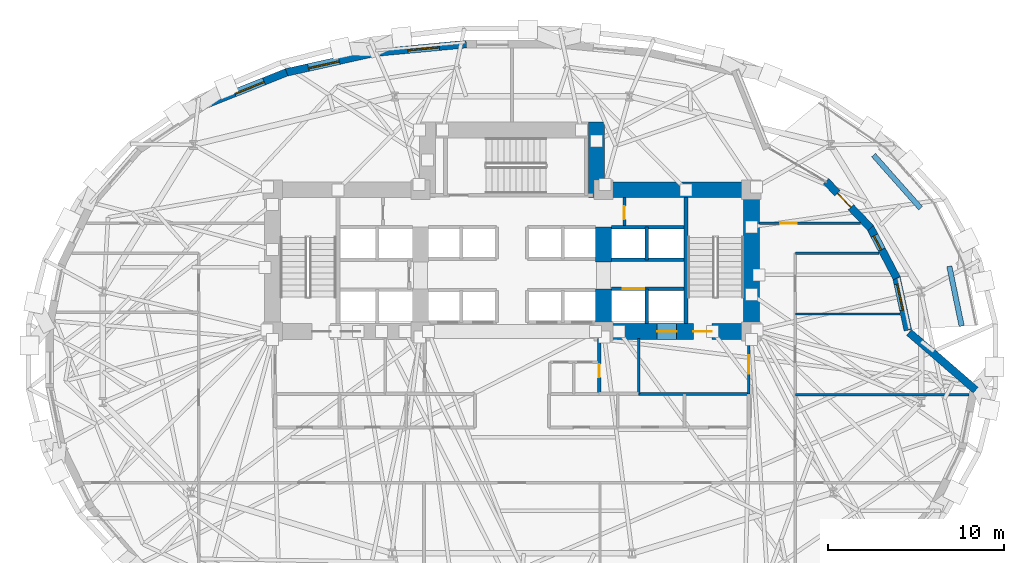
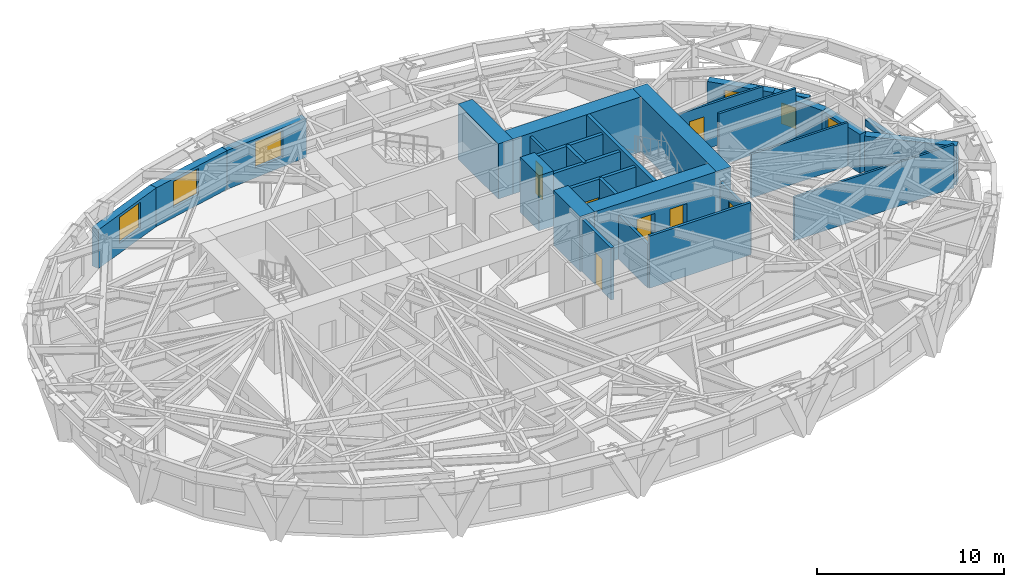
# One storey, part 10 of 15: 30 walls, 8 doors, 5 windows, 13 openings.
"""IFC4 building model written with IfcOpenShell, lengths in metres."""

from ifc_helpers import new_model, si_unit, direction, frame, frame_2d, origin, place, context, subcontext, project, spatial, rectangle, extrude, material, layer, layer_set, type_object, element, fill, save


model = new_model("IFC4")

# Units and contexts
model_context = context("Model", 3, precision=1e-05, world=origin(), true_north=direction((0.0, 1.0)))
body_context = subcontext(model_context, "Body", "Model", "MODEL_VIEW")
ifc_project = project(units=[si_unit("LENGTHUNIT", "METRE"), si_unit("AREAUNIT", "SQUARE_METRE"), si_unit("VOLUMEUNIT", "CUBIC_METRE"), si_unit("PLANEANGLEUNIT", "RADIAN"), si_unit("MASSUNIT", "GRAM", prefix="KILO")], contexts=[model_context])

# Site, building, storey
site_placement = place(None, origin())
site = spatial("IfcSite", under=ifc_project, at=site_placement, CompositionType="ELEMENT")
building_placement = place(site_placement, origin())
building = spatial("IfcBuilding", under=site, at=building_placement, Name="Keldmark Tower", CompositionType="ELEMENT")
storey_placement = place(building_placement, frame((0.0, 0.0, 37.800048828125)))
storey = spatial("IfcBuildingStorey", under=building, at=storey_placement, Name="L09", CompositionType="ELEMENT", Elevation=37.800048828125)

# Wall, opening, door
ifc_material_1 = material(Name="Acoustic Double-Layer Gypsum Corridor Partition", Category="gypsum")
ifc_layer_1 = layer(ifc_material_1, 0.139892578125)
ifc_layer_set_1 = layer_set([ifc_layer_1], Name="Acoustic Double-Layer Gypsum Corridor Partition")
wall_type_1 = type_object("IfcWallType", Name="Acoustic Corridor Partition 140 mm", PredefinedType="PARTITIONING", material=ifc_layer_set_1)
wall_1_placement = place(storey_placement, frame((14.050048828125, 7.550048828125, 0.0), z_axis=(0.0, 0.0, 1.0), x_axis=(1.0, 0.0, 0.0)))
wall_1 = element("IfcWall", 1, at=wall_1_placement, inside=storey, type_object=wall_type_1, Name="L09 Acoustic Corridor Partition 140 mm COR-EN-CAP", PredefinedType="PARTITIONING", context=body_context, shape_type="SweptSolid", body=[
    extrude(rectangle(XDim=5.7529296875, YDim=0.139892578125, at=frame_2d((2.87646484375, 0.0))), origin(), (0.0, 0.0, 1.0), 2.85302734375),
])
opening_1_placement = place(wall_1_placement, frame((1.199951171875, 0.0, 0.0)))
opening_1 = element("IfcOpeningElement", 2, at=opening_1_placement, cuts=wall_1, Name="Opening D-EX092", PredefinedType="OPENING", context=body_context, shape_type="SweptSolid", body=[
    extrude(rectangle(XDim=0.919921875, YDim=2.14990234375, at=frame_2d((0.4599609375, 1.074951171875))), frame((0.0, 0.079833984375, 0.0), z_axis=(0.0, -1.0, 0.0), x_axis=(1.0, 0.0, 0.0)), (0.0, 0.0, 1.0), 0.159912109375),
])
ifc_material_2 = material(Name="Flush American Ash Executive Office Door", Category="wood")
door_type_1 = type_object("IfcDoorType", Name="Executive Office Door 920x2150", OperationType="NOTDEFINED", PredefinedType="DOOR", material=ifc_material_2)
door_1_placement = place(opening_1_placement, origin())
door_1 = element("IfcDoor", 3, at=door_1_placement, inside=storey, type_object=door_type_1, Name="L09 Executive Office Door 920x2150 D-NRNE-L09", OperationType="SINGLE_SWING_RIGHT", OverallHeight=2.14990234375, OverallWidth=0.919921875, PredefinedType="DOOR", context=body_context, shape_type="SweptSolid", body=[
    extrude(rectangle(XDim=0.919921875, YDim=2.14990234375, at=frame_2d((0.4599609375, 1.074951171875))), frame((0.0, 0.02490234375, 0.0), z_axis=(0.0, -1.0, 0.0), x_axis=(1.0, 0.0, 0.0)), (0.0, 0.0, 1.0), 0.050048828125),
])
fill(opening_1, door_1)

# Walls
wall_2_placement = place(storey_placement, frame((16.10009765625, 5.85009765625, 0.0), z_axis=(0.0, 0.0, 1.0), x_axis=(1.0, 0.0, 0.0)))
element("IfcWall", 4, at=wall_2_placement, inside=storey, type_object=wall_type_1, Name="L09 Acoustic Corridor Partition 140 mm COR-EA-S", PredefinedType="PARTITIONING", context=body_context, shape_type="SweptSolid", body=[
    extrude(rectangle(XDim=4.75732421875, YDim=0.139892578125, at=frame_2d((2.378662109375, 0.0))), origin(), (0.0, 0.0, 1.0), 3.39990234375),
])
ifc_material_3 = material(Name="Acoustic Gypsum Board Interior Partition", Category="gypsum")
ifc_layer_2 = layer(ifc_material_3, 0.1298828125)
ifc_layer_set_2 = layer_set([ifc_layer_2], Name="Acoustic Gypsum Board Interior Partition")
wall_type_2 = type_object("IfcWallType", Name="Interior Partition 130 mm", PredefinedType="PARTITIONING", material=ifc_layer_set_2)
wall_3_placement = place(storey_placement, frame((16.10009765625, -2.199951171875, 0.0), z_axis=(0.0, 0.0, 1.0), x_axis=(1.0, 0.0, 0.0)))
element("IfcWall", 5, at=wall_3_placement, inside=storey, type_object=wall_type_2, Name="L09 Interior Partition 130 mm E-DIV-1", PredefinedType="PARTITIONING", context=body_context, shape_type="SweptSolid", body=[
    extrude(rectangle(XDim=9.849853515625, YDim=0.1298828125, at=frame_2d((4.9248046875, 0.0))), origin(), (0.0, 0.0, 1.0), 2.841064453125),
])
wall_4_placement = place(storey_placement, frame((16.10009765625, 2.39990234375, 0.0), z_axis=(0.0, 0.0, 1.0), x_axis=(1.0, 0.0, 0.0)))
element("IfcWall", 6, at=wall_4_placement, inside=storey, type_object=wall_type_2, Name="L09 Interior Partition 130 mm E-DIV-2", PredefinedType="PARTITIONING", context=body_context, shape_type="SweptSolid", body=[
    extrude(rectangle(XDim=5.95458984375, YDim=0.1298828125, at=frame_2d((2.977294921875, 0.0))), origin(), (0.0, 0.0, 1.0), 2.841064453125),
])
ifc_material_4 = material(Name="Concrete C70/85", Category="concrete")
ifc_layer_3 = layer(ifc_material_4, 0.89990234375)
ifc_layer_set_3 = layer_set([ifc_layer_3], Name="Concrete C70/85")
wall_type_3 = type_object("IfcWallType", Name="Lower Core Shear Wall 900 mm", PredefinedType="SHEAR", material=ifc_layer_set_3)
wall_5_placement = place(storey_placement, frame((13.60009765625, 0.949951171875, 0.0), z_axis=(0.0, 0.0, 1.0), x_axis=(0.0, 1.0, 0.0)))
element("IfcWall", 7, at=wall_5_placement, inside=storey, type_object=wall_type_3, Name="L09 East Core Outer Shear Wall", PredefinedType="SHEAR", context=body_context, shape_type="SweptSolid", body=[
    extrude(rectangle(XDim=8.949951171875, YDim=0.89990234375, at=frame_2d((4.47509765625, 0.0))), origin(), (0.0, 0.0, 1.0), 3.599853515625),
])
wall_6_placement = place(storey_placement, frame((4.35009765625, 9.449951171875, 0.0), z_axis=(0.0, 0.0, 1.0), x_axis=(1.0, 0.0, 0.0)))
element("IfcWall", 8, at=wall_6_placement, inside=storey, type_object=wall_type_3, Name="L09 East Core North Shear Wall", PredefinedType="SHEAR", context=body_context, shape_type="SweptSolid", body=[
    extrude(rectangle(XDim=9.699951171875, YDim=0.89990234375, at=frame_2d((4.85009765625, 0.0))), origin(), (0.0, 0.0, 1.0), 3.599853515625),
])

# Wall, openings, doors
wall_7_placement = place(storey_placement, frame((14.050048828125, 1.39990234375, 0.0), z_axis=(0.0, 0.0, 1.0), x_axis=(-1.0, 0.0, 0.0)))
wall_7 = element("IfcWall", 9, at=wall_7_placement, inside=storey, type_object=wall_type_3, Name="L09 East Core South Shear Wall", PredefinedType="SHEAR", context=body_context, shape_type="SweptSolid", body=[
    extrude(rectangle(XDim=9.300048828125, YDim=0.89990234375, at=frame_2d((4.64990234375, 0.0))), origin(), (0.0, 0.0, 1.0), 3.599853515625),
])
opening_2_placement = place(wall_7_placement, frame((2.699951171875, 0.0, 0.0)))
opening_2 = element("IfcOpeningElement", 10, at=opening_2_placement, cuts=wall_7, Name="Opening D-ST105", PredefinedType="OPENING", context=body_context, shape_type="SweptSolid", body=[
    extrude(rectangle(XDim=1.050048828125, YDim=2.14990234375, at=frame_2d((0.52490234375, 1.074951171875))), frame((0.0, 0.4599609375, 0.0), z_axis=(0.0, -1.0, 0.0), x_axis=(1.0, 0.0, 0.0)), (0.0, 0.0, 1.0), 0.919921875),
])
opening_3_placement = place(wall_7_placement, frame((4.699951171875, 0.0, 0.0)))
opening_3 = element("IfcOpeningElement", 11, at=opening_3_placement, cuts=wall_7, Name="Opening LD-110", PredefinedType="OPENING", context=body_context, shape_type="SweptSolid", body=[
    extrude(rectangle(XDim=1.10009765625, YDim=2.199951171875, at=frame_2d((0.550048828125, 1.10009765625))), frame((0.0, 0.4599609375, 0.0), z_axis=(0.0, -1.0, 0.0), x_axis=(1.0, 0.0, 0.0)), (0.0, 0.0, 1.0), 0.919921875),
])
ifc_material_5 = material(Name="Brushed Bronze Hoistway Sliding Leaf", Category="metal")
door_type_2 = type_object("IfcDoorType", Name="Lift Landing Sliding Door 1100x2200", OperationType="SLIDING_TO_LEFT", PredefinedType="DOOR", material=ifc_material_5)
door_2_placement = place(opening_3_placement, origin())
door_2 = element("IfcDoor", 12, at=door_2_placement, inside=storey, type_object=door_type_2, Name="L09 Lift Landing Sliding Door 1100x2200 LD-EL-FS2-L09", OperationType="SLIDING_TO_LEFT", OverallHeight=2.199951171875, OverallWidth=1.10009765625, PredefinedType="DOOR", context=body_context, shape_type="SweptSolid", body=[
    extrude(rectangle(XDim=1.10009765625, YDim=2.199951171875, at=frame_2d((0.550048828125, 1.10009765625))), frame((0.0, 0.02490234375, 0.0), z_axis=(0.0, -1.0, 0.0), x_axis=(1.0, 0.0, 0.0)), (0.0, 0.0, 1.0), 0.050048828125),
])
fill(opening_3, door_2)
ifc_material_6 = material(Name="Hollow Metal Fire-Rated Door Assembly", Category="metal")
door_type_3 = type_object("IfcDoorType", Name="Stair Fire Door 1050x2150", OperationType="NOTDEFINED", PredefinedType="DOOR", material=ifc_material_6)
door_3_placement = place(opening_2_placement, origin())
door_3 = element("IfcDoor", 13, at=door_3_placement, inside=storey, type_object=door_type_3, Name="L09 Stair Fire Door 1050x2150 D-ST2-L09", OperationType="SINGLE_SWING_LEFT", OverallHeight=2.14990234375, OverallWidth=1.050048828125, PredefinedType="DOOR", context=body_context, shape_type="SweptSolid", body=[
    extrude(rectangle(XDim=1.050048828125, YDim=2.14990234375, at=frame_2d((0.52490234375, 1.074951171875))), frame((0.0, 0.02490234375, 0.0), z_axis=(0.0, -1.0, 0.0), x_axis=(1.0, 0.0, 0.0)), (0.0, 0.0, 1.0), 0.050048828125),
])
fill(opening_2, door_3)

# Walls
wall_8_placement = place(storey_placement, frame((5.199951171875, 0.949951171875, 0.0), z_axis=(0.0, 0.0, 1.0), x_axis=(0.0, 1.0, 0.0)))
element("IfcWall", 14, at=wall_8_placement, inside=storey, type_object=wall_type_3, Name="L09 East Core Inner Shear Pier South", PredefinedType="SHEAR", context=body_context, shape_type="SweptSolid", body=[
    extrude(rectangle(XDim=2.85009765625, YDim=0.89990234375, at=frame_2d((1.425048828125, 0.0))), origin(), (0.0, 0.0, 1.0), 3.599853515625),
])
wall_9_placement = place(storey_placement, frame((5.199951171875, 5.35009765625, 0.0), z_axis=(0.0, 0.0, 1.0), x_axis=(0.0, 1.0, 0.0)))
element("IfcWall", 15, at=wall_9_placement, inside=storey, type_object=wall_type_3, Name="L09 East Core Inner Shear Pier North", PredefinedType="SHEAR", context=body_context, shape_type="SweptSolid", body=[
    extrude(rectangle(XDim=2.0, YDim=0.89990234375, at=frame_2d((1.0, 0.0))), origin(), (0.0, 0.0, 1.0), 3.599853515625),
])
wall_10_placement = place(storey_placement, frame((4.800048828125, 9.0, 0.0), z_axis=(0.0, 0.0, 1.0), x_axis=(0.0, 1.0, 0.0)))
element("IfcWall", 16, at=wall_10_placement, inside=storey, type_object=wall_type_3, Name="L09 North Core East Shear Wall", PredefinedType="SHEAR", context=body_context, shape_type="SweptSolid", body=[
    extrude(rectangle(XDim=4.300048828125, YDim=0.89990234375, at=frame_2d((2.14990234375, 0.0))), origin(), (0.0, 0.0, 1.0), 3.599853515625),
])
ifc_material_7 = material(Name="Type X Fire-Rated Gypsum Partition Assembly", Category="gypsum")
ifc_layer_4 = layer(ifc_material_7, 0.1650390625)
ifc_layer_set_4 = layer_set([ifc_layer_4], Name="Type X Fire-Rated Gypsum Partition Assembly")
wall_type_4 = type_object("IfcWallType", Name="Rated Partition 165 mm", PredefinedType="PARTITIONING", material=ifc_layer_set_4)
wall_11_placement = place(storey_placement, frame((7.199951171875, -2.14990234375, 0.0), z_axis=(0.0, 0.0, 1.0), x_axis=(1.0, 0.0, 0.0)))
element("IfcWall", 17, at=wall_11_placement, inside=storey, type_object=wall_type_4, Name="L09 Rated Partition 165 mm FSAE-E-S", PredefinedType="PARTITIONING", context=body_context, shape_type="SweptSolid", body=[
    extrude(rectangle(XDim=6.25, YDim=0.1650390625, at=frame_2d((3.125, 0.0))), origin(), (0.0, 0.0, 1.0), 3.39990234375),
])
wall_12_placement = place(storey_placement, frame((7.199951171875, -2.14990234375, 0.0), z_axis=(0.0, 0.0, 1.0), x_axis=(0.0, 1.0, 0.0)))
element("IfcWall", 18, at=wall_12_placement, inside=storey, type_object=wall_type_4, Name="L09 Rated Partition 165 mm FSAE-E-W", PredefinedType="PARTITIONING", context=body_context, shape_type="SweptSolid", body=[
    extrude(rectangle(XDim=3.14990234375, YDim=0.1650390625, at=frame_2d((1.574951171875, 0.0))), origin(), (0.0, 0.0, 1.0), 2.85302734375),
])

# Wall, opening, door
wall_13_placement = place(storey_placement, frame((13.449951171875, -2.14990234375, 0.0), z_axis=(0.0, 0.0, 1.0), x_axis=(0.0, 1.0, 0.0)))
wall_13 = element("IfcWall", 19, at=wall_13_placement, inside=storey, type_object=wall_type_4, Name="L09 Rated Partition 165 mm FSAE-E-E", PredefinedType="PARTITIONING", context=body_context, shape_type="SweptSolid", body=[
    extrude(rectangle(XDim=3.14990234375, YDim=0.1650390625, at=frame_2d((1.574951171875, 0.0))), origin(), (0.0, 0.0, 1.0), 2.85302734375),
])
opening_4_placement = place(wall_13_placement, frame((1.14990234375, 0.0, 0.0)))
opening_4 = element("IfcOpeningElement", 20, at=opening_4_placement, cuts=wall_13, Name="Opening D-FL105", PredefinedType="OPENING", context=body_context, shape_type="SweptSolid", body=[
    extrude(rectangle(XDim=1.050048828125, YDim=2.14990234375, at=frame_2d((0.52490234375, 1.074951171875))), frame((0.0, 0.092529296875, 0.0), z_axis=(0.0, -1.0, 0.0), x_axis=(1.0, 0.0, 0.0)), (0.0, 0.0, 1.0), 0.18505859375),
])
ifc_material_8 = material(Name="Fire-Rated Mineral-Core Door and Vision Lite", Category="metal")
door_type_4 = type_object("IfcDoorType", Name="Fire Lobby Door 1050x2150", OperationType="NOTDEFINED", PredefinedType="DOOR", material=ifc_material_8)
door_4_placement = place(opening_4_placement, origin())
door_4 = element("IfcDoor", 21, at=door_4_placement, inside=storey, type_object=door_type_4, Name="L09 Fire Lobby Door 1050x2150 D-FSAEE-OUT-L09", OperationType="SINGLE_SWING_LEFT", OverallHeight=2.14990234375, OverallWidth=1.050048828125, PredefinedType="DOOR", context=body_context, shape_type="SweptSolid", body=[
    extrude(rectangle(XDim=1.050048828125, YDim=2.14990234375, at=frame_2d((0.52490234375, 1.074951171875))), frame((0.0, 0.02490234375, 0.0), z_axis=(0.0, -1.0, 0.0), x_axis=(1.0, 0.0, 0.0)), (0.0, 0.0, 1.0), 0.050048828125),
])
fill(opening_4, door_4)

wall_14_placement = place(storey_placement, frame((6.3798828125, 7.419921875, 0.0), z_axis=(0.0, 0.0, 1.0), x_axis=(0.0, 1.0, 0.0)))
wall_14 = element("IfcWall", 22, at=wall_14_placement, inside=storey, type_object=wall_type_4, Name="L09 Rated Partition 165 mm CS-NE-W", PredefinedType="PARTITIONING", context=body_context, shape_type="SweptSolid", body=[
    extrude(rectangle(XDim=1.580078125, YDim=0.1650390625, at=frame_2d((0.7900390625, 0.0))), origin(), (0.0, 0.0, 1.0), 3.39990234375),
])
opening_5_placement = place(wall_14_placement, frame((0.35009765625, 0.0, 0.0)))
opening_5 = element("IfcOpeningElement", 23, at=opening_5_placement, cuts=wall_14, Name="Opening D-RS075", PredefinedType="OPENING", context=body_context, shape_type="SweptSolid", body=[
    extrude(rectangle(XDim=0.75, YDim=2.10009765625, at=frame_2d((0.375, 1.050048828125))), frame((0.0, 0.092529296875, 0.0), z_axis=(0.0, -1.0, 0.0), x_axis=(1.0, 0.0, 0.0)), (0.0, 0.0, 1.0), 0.18505859375),
])
ifc_material_9 = material(Name="Galvanized Fire-Rated Access Leaf", Category="metal")
door_type_5 = type_object("IfcDoorType", Name="Riser Access Door 750x2100", OperationType="NOTDEFINED", PredefinedType="DOOR", material=ifc_material_9)
door_5_placement = place(opening_5_placement, origin())
door_5 = element("IfcDoor", 24, at=door_5_placement, inside=storey, type_object=door_type_5, Name="L09 Riser Access Door 750x2100 D-CSNE1-L09", OperationType="SINGLE_SWING_LEFT", OverallHeight=2.10009765625, OverallWidth=0.75, PredefinedType="DOOR", context=body_context, shape_type="SweptSolid", body=[
    extrude(rectangle(XDim=0.75, YDim=2.10009765625, at=frame_2d((0.375, 1.050048828125))), frame((0.0, 0.02490234375, 0.0), z_axis=(0.0, -1.0, 0.0), x_axis=(1.0, 0.0, 0.0)), (0.0, 0.0, 1.0), 0.050048828125),
])
fill(opening_5, door_5)

ifc_material_10 = material(Name="Fire-Resistant Type X Gypsum Shaftliner Coreboard", Category="gypsum")
ifc_layer_5 = layer(ifc_material_10, 0.199951171875)
ifc_layer_set_5 = layer_set([ifc_layer_5], Name="Fire-Resistant Type X Gypsum Shaftliner Coreboard")
wall_type_5 = type_object("IfcWallType", Name="Shaft Wall 200 mm", PredefinedType="SOLIDWALL", material=ifc_layer_set_5)
wall_15_placement = place(storey_placement, frame((4.949951171875, -2.14990234375, 0.0), z_axis=(0.0, 0.0, 1.0), x_axis=(0.0, 1.0, 0.0)))
wall_15 = element("IfcWall", 25, at=wall_15_placement, inside=storey, type_object=wall_type_5, Name="L09 Shaft Wall 200 mm RIS-SE-W", PredefinedType="SOLIDWALL", context=body_context, shape_type="SweptSolid", body=[
    extrude(rectangle(XDim=3.14990234375, YDim=0.199951171875, at=frame_2d((1.574951171875, 0.0))), origin(), (0.0, 0.0, 1.0), 3.39990234375),
])
opening_6_placement = place(wall_15_placement, frame((0.949951171875, 0.0, 0.0)))
opening_6 = element("IfcOpeningElement", 26, at=opening_6_placement, cuts=wall_15, Name="Opening D-RS075", PredefinedType="OPENING", context=body_context, shape_type="SweptSolid", body=[
    extrude(rectangle(XDim=0.75, YDim=2.10009765625, at=frame_2d((0.375, 1.050048828125))), frame((0.0, 0.10986328125, 0.0), z_axis=(0.0, -1.0, 0.0), x_axis=(1.0, 0.0, 0.0)), (0.0, 0.0, 1.0), 0.219970703125),
])
door_6_placement = place(opening_6_placement, origin())
door_6 = element("IfcDoor", 27, at=door_6_placement, inside=storey, type_object=door_type_5, Name="L09 Riser Access Door 750x2100 D-RISSE-L09", OperationType="SINGLE_SWING_LEFT", OverallHeight=2.10009765625, OverallWidth=0.75, PredefinedType="DOOR", context=body_context, shape_type="SweptSolid", body=[
    extrude(rectangle(XDim=0.75, YDim=2.10009765625, at=frame_2d((0.375, 1.050048828125))), frame((0.0, 0.02490234375, 0.0), z_axis=(0.0, -1.0, 0.0), x_axis=(1.0, 0.0, 0.0)), (0.0, 0.0, 1.0), 0.050048828125),
])
fill(opening_6, door_6)

wall_16_placement = place(storey_placement, frame((5.64990234375, 3.820068359375, 0.0), z_axis=(0.0, 0.0, 1.0), x_axis=(1.0, 0.0, 0.0)))
wall_16 = element("IfcWall", 28, at=wall_16_placement, inside=storey, type_object=wall_type_5, Name="L09 Shaft Wall 200 mm HW-E-S", PredefinedType="SOLIDWALL", context=body_context, shape_type="SweptSolid", body=[
    extrude(rectangle(XDim=4.130126953125, YDim=0.199951171875, at=frame_2d((2.06494140625, 0.0))), origin(), (0.0, 0.0, 1.0), 3.39990234375),
])
opening_7_placement = place(wall_16_placement, frame((0.64990234375, 0.0, 0.0)))
opening_7 = element("IfcOpeningElement", 29, at=opening_7_placement, cuts=wall_16, Name="Opening LD-120", PredefinedType="OPENING", context=body_context, shape_type="SweptSolid", body=[
    extrude(rectangle(XDim=1.199951171875, YDim=2.199951171875, at=frame_2d((0.60009765625, 1.10009765625))), frame((0.0, 0.10986328125, 0.0), z_axis=(0.0, -1.0, 0.0), x_axis=(1.0, 0.0, 0.0)), (0.0, 0.0, 1.0), 0.219970703125),
])
ifc_material_11 = material(Name="Heavy-Duty Brushed Metal Hoistway Sliding Leaf", Category="metal")
door_type_6 = type_object("IfcDoorType", Name="Service Lift Sliding Door 1200x2200", OperationType="SLIDING_TO_RIGHT", PredefinedType="DOOR", material=ifc_material_11)
door_7_placement = place(opening_7_placement, origin())
door_7 = element("IfcDoor", 30, at=door_7_placement, inside=storey, type_object=door_type_6, Name="L09 Service Lift Sliding Door 1200x2200 LD-EL-SV1-L09", OperationType="SLIDING_TO_RIGHT", OverallHeight=2.199951171875, OverallWidth=1.199951171875, PredefinedType="DOOR", context=body_context, shape_type="SweptSolid", body=[
    extrude(rectangle(XDim=1.199951171875, YDim=2.199951171875, at=frame_2d((0.60009765625, 1.10009765625))), frame((0.0, 0.02490234375, 0.0), z_axis=(0.0, -1.0, 0.0), x_axis=(1.0, 0.0, 0.0)), (0.0, 0.0, 1.0), 0.050048828125),
])
fill(opening_7, door_7)

# Walls
wall_17_placement = place(storey_placement, frame((7.64990234375, 1.85009765625, 0.0), z_axis=(0.0, 0.0, 1.0), x_axis=(0.0, 1.0, 0.0)))
element("IfcWall", 31, at=wall_17_placement, inside=storey, type_object=wall_type_5, Name="L09 Shaft Wall 200 mm HW-E-M", PredefinedType="SOLIDWALL", context=body_context, shape_type="SweptSolid", body=[
    extrude(rectangle(XDim=1.969970703125, YDim=0.199951171875, at=frame_2d((0.98486328125, 0.0))), origin(), (0.0, 0.0, 1.0), 3.39990234375),
])
for number, where, z_axis, x_axis, name in (
    (32, (5.64990234375, 5.469970703125, 0.0), (0.0, 0.0, 1.0), (1.0, 0.0, 0.0), "L09 Shaft Wall 200 mm HW-E-N"),
    (33, (5.64990234375, 7.330078125, 0.0), (0.0, 0.0, 1.0), (1.0, 0.0, 0.0), "L09 Shaft Wall 200 mm HW-E-TOP"),
):
    element("IfcWall", number, at=place(storey_placement, frame(where, z_axis=z_axis, x_axis=x_axis)), inside=storey, type_object=wall_type_5, Name=name, PredefinedType="SOLIDWALL", context=body_context, shape_type="SweptSolid", body=[
        extrude(rectangle(XDim=4.130126953125, YDim=0.199951171875, at=frame_2d((2.06494140625, 0.0))), origin(), (0.0, 0.0, 1.0), 3.39990234375),
    ])
wall_18_placement = place(storey_placement, frame((7.64990234375, 5.469970703125, 0.0), z_axis=(0.0, 0.0, 1.0), x_axis=(0.0, 1.0, 0.0)))
element("IfcWall", 34, at=wall_18_placement, inside=storey, type_object=wall_type_5, Name="L09 Shaft Wall 200 mm HW-E-NM", PredefinedType="SOLIDWALL", context=body_context, shape_type="SweptSolid", body=[
    extrude(rectangle(XDim=1.860107421875, YDim=0.199951171875, at=frame_2d((0.93017578125, 0.0))), origin(), (0.0, 0.0, 1.0), 3.39990234375),
])
ifc_material_12 = material(Name="Concrete C50/60", Category="concrete")
ifc_layer_6 = layer(ifc_material_12, 0.219970703125)
ifc_layer_set_6 = layer_set([ifc_layer_6], Name="Concrete C50/60")
wall_type_6 = type_object("IfcWallType", Name="Stair Core Shear Wall 220 mm", PredefinedType="SHEAR", material=ifc_layer_set_6)
wall_19_placement = place(storey_placement, frame((9.889892578125, 1.85009765625, 0.0), z_axis=(0.0, 0.0, 1.0), x_axis=(0.0, 1.0, 0.0)))
element("IfcWall", 35, at=wall_19_placement, inside=storey, type_object=wall_type_6, Name="L09 East Stair Core Shear Wall", PredefinedType="SHEAR", context=body_context, shape_type="SweptSolid", body=[
    extrude(rectangle(XDim=7.14990234375, YDim=0.219970703125, at=frame_2d((3.574951171875, 0.0))), origin(), (0.0, 0.0, 1.0), 3.599853515625),
])
ifc_material_13 = material(Name="Ironspot Manganese Brick Planter Masonry", Category="masonry")
ifc_layer_7 = layer(ifc_material_13, 0.300048828125)
ifc_layer_set_7 = layer_set([ifc_layer_7], Name="Ironspot Manganese Brick Planter Masonry")
wall_type_7 = type_object("IfcWallType", Name="Terrace Brick Planter Kerb Wall 300 mm", PredefinedType="PARAPET", material=ifc_layer_set_7)
wall_20_placement = place(storey_placement, frame((25.54736328125, 1.704345703125, 0.0), z_axis=(0.0, 0.0, 1.0), x_axis=(-0.20221034669, 0.979342113713, 0.0)))
element("IfcWall", 36, at=wall_20_placement, inside=storey, type_object=wall_type_7, Name="L09 Sky Garden Planter 01", PredefinedType="PARAPET", context=body_context, shape_type="SweptSolid", body=[
    extrude(rectangle(XDim=3.472412109375, YDim=0.300048828125, at=frame_2d((1.736328125, 0.0))), origin(), (0.0, 0.0, 1.0), 0.449951171875),
])
wall_21_placement = place(storey_placement, frame((23.212890625, 8.404541015625, 0.0), z_axis=(0.0, 0.0, 1.0), x_axis=(-0.663501894005, 0.748174603051, 0.0)))
element("IfcWall", 37, at=wall_21_placement, inside=storey, type_object=wall_type_7, Name="L09 Sky Garden Planter 03", PredefinedType="PARAPET", context=body_context, shape_type="SweptSolid", body=[
    extrude(rectangle(XDim=4.028076171875, YDim=0.300048828125, at=frame_2d((2.01416015625, 0.0))), origin(), (0.0, 0.0, 1.0), 0.449951171875),
])

# Wall, opening, window
ifc_material_14 = material(Name="Ironspot Manganese Brick and Kasota Buff Limestone Spandrel Assembly", Category="masonry")
ifc_layer_8 = layer(ifc_material_14, 0.43994140625)
ifc_layer_set_8 = layer_set([ifc_layer_8], Name="Ironspot Manganese Brick and Kasota Buff Limestone Spandrel Assembly")
wall_type_8 = type_object("IfcWallType", Name="Tower Brick Pier and Spandrel Wall 440 mm", PredefinedType="STANDARD", material=ifc_layer_set_8)
wall_22_placement = place(storey_placement, frame((21.83837890625, 4.485107421875, 0.0), z_axis=(0.0, 0.0, 1.0), x_axis=(0.210668896552, -0.977557474538, 0.0)))
wall_22 = element("IfcWall", 38, at=wall_22_placement, inside=storey, type_object=wall_type_8, Name="L09 Exterior Brick and Spandrel Wall 01", PredefinedType="STANDARD", context=body_context, shape_type="SweptSolid", body=[
    extrude(rectangle(XDim=3.086181640625, YDim=0.43994140625, at=frame_2d((1.54296875, 0.0))), origin(), (0.0, 0.0, 1.0), 2.532958984375),
])
opening_8_placement = place(wall_22_placement, frame((0.397705078125, 0.0, 0.64990234375)))
opening_8 = element("IfcOpeningElement", 39, at=opening_8_placement, cuts=wall_22, Name="Opening W-03", PredefinedType="OPENING", context=body_context, shape_type="SweptSolid", body=[
    extrude(rectangle(XDim=1.5, YDim=1.699951171875, at=frame_2d((0.75, 0.85009765625))), frame((0.0, 0.22998046875, 0.0), z_axis=(0.0, -1.0, 0.0), x_axis=(1.0, 0.0, 0.0)), (0.0, 0.0, 1.0), 0.4599609375),
])
ifc_material_15 = material(Name="Thermally Broken Anodized Aluminum and Triple Low-E Argon Glazing", Category="aluminium")
window_type_1 = type_object("IfcWindowType", Name="Office Corner Deep-Set Window 1500x1700", PartitioningType="DOUBLE_PANEL_VERTICAL", PredefinedType="WINDOW", material=ifc_material_15)
window_1_placement = place(opening_8_placement, origin())
window_1 = element("IfcWindow", 40, at=window_1_placement, inside=storey, type_object=window_type_1, Name="L09 Deep-Set Window 01", OverallHeight=1.699951171875, OverallWidth=1.5, PartitioningType="SINGLE_PANEL", PredefinedType="WINDOW", context=body_context, shape_type="SweptSolid", body=[
    extrude(rectangle(XDim=1.5, YDim=1.699951171875, at=frame_2d((0.75, 0.85009765625))), frame((0.0, -0.010009765625, 0.0), z_axis=(0.0, -1.0, 0.0), x_axis=(1.0, 0.0, 0.0)), (0.0, 0.0, 1.0), 0.06005859375),
])
fill(opening_8, window_1)

wall_23_placement = place(storey_placement, frame((20.33837890625, 7.332275390625, 0.0), z_axis=(0.0, 0.0, 1.0), x_axis=(0.463942961536, -0.885865073497, 0.0)))
wall_23 = element("IfcWall", 41, at=wall_23_placement, inside=storey, type_object=wall_type_8, Name="L09 Exterior Brick and Spandrel Wall 02", PredefinedType="STANDARD", context=body_context, shape_type="SweptSolid", body=[
    extrude(rectangle(XDim=3.27685546875, YDim=0.43994140625, at=frame_2d((1.638427734375, 0.0))), origin(), (0.0, 0.0, 1.0), 2.532958984375),
])
opening_9_placement = place(wall_23_placement, frame((0.5458984375, 0.0, 0.580078125)))
opening_9 = element("IfcOpeningElement", 42, at=opening_9_placement, cuts=wall_23, Name="Opening W-09", PredefinedType="OPENING", context=body_context, shape_type="SweptSolid", body=[
    extrude(rectangle(XDim=0.89990234375, YDim=1.35009765625, at=frame_2d((0.449951171875, 0.675048828125))), frame((0.0, 0.22998046875, 0.0), z_axis=(0.0, -1.0, 0.0), x_axis=(1.0, 0.0, 0.0)), (0.0, 0.0, 1.0), 0.4599609375),
])
ifc_material_16 = material(Name="Thermally Broken Anodized Aluminum and Triple Low-E Argon Glazing", Category="aluminium")
window_type_2 = type_object("IfcWindowType", Name="Corner Pier Deep-Set Window 900x1350", PartitioningType="SINGLE_PANEL", PredefinedType="WINDOW", material=ifc_material_16)
window_2_placement = place(opening_9_placement, origin())
window_2 = element("IfcWindow", 43, at=window_2_placement, inside=storey, type_object=window_type_2, Name="L09 Deep-Set Window 02", OverallHeight=1.35009765625, OverallWidth=0.89990234375, PartitioningType="SINGLE_PANEL", PredefinedType="WINDOW", context=body_context, shape_type="SweptSolid", body=[
    extrude(rectangle(XDim=0.89990234375, YDim=1.35009765625, at=frame_2d((0.449951171875, 0.675048828125))), frame((0.0, -0.010009765625, 0.0), z_axis=(0.0, -1.0, 0.0), x_axis=(1.0, 0.0, 0.0)), (0.0, 0.0, 1.0), 0.06005859375),
])
fill(opening_9, window_2)

# Wall, opening, door
wall_24_placement = place(storey_placement, frame((17.841796875, 9.93212890625, 0.0), z_axis=(0.0, 0.0, 1.0), x_axis=(0.690906512539, -0.722944113284, 0.0)))
wall_24 = element("IfcWall", 44, at=wall_24_placement, inside=storey, type_object=wall_type_8, Name="L09 Exterior Brick and Spandrel Wall 03", PredefinedType="STANDARD", context=body_context, shape_type="SweptSolid", body=[
    extrude(rectangle(XDim=3.66552734375, YDim=0.43994140625, at=frame_2d((1.832763671875, 0.0))), origin(), (0.0, 0.0, 1.0), 2.532958984375),
])
opening_10_placement = place(wall_24_placement, frame((0.937744140625, 0.0, 0.0)))
opening_10 = element("IfcOpeningElement", 45, at=opening_10_placement, cuts=wall_24, Name="Opening TD-01", PredefinedType="OPENING", context=body_context, shape_type="SweptSolid", body=[
    extrude(rectangle(XDim=1.10009765625, YDim=2.14990234375, at=frame_2d((0.550048828125, 1.074951171875))), frame((0.0, 0.22998046875, 0.0), z_axis=(0.0, -1.0, 0.0), x_axis=(1.0, 0.0, 0.0)), (0.0, 0.0, 1.0), 0.4599609375),
])
ifc_material_17 = material(Name="Thermally Broken Painted Aluminum and Laminated Safety Glass", Category="aluminium")
door_type_7 = type_object("IfcDoorType", Name="Sky Garden Terrace Glazed Door 1100x2150", OperationType="SINGLE_SWING_LEFT", PredefinedType="DOOR", material=ifc_material_17)
door_8_placement = place(opening_10_placement, origin())
door_8 = element("IfcDoor", 46, at=door_8_placement, inside=storey, type_object=door_type_7, Name="L09 Sky-Garden Terrace Door 03", OperationType="SINGLE_SWING_LEFT", OverallHeight=2.14990234375, OverallWidth=1.10009765625, PredefinedType="DOOR", context=body_context, shape_type="SweptSolid", body=[
    extrude(rectangle(XDim=1.10009765625, YDim=2.14990234375, at=frame_2d((0.550048828125, 1.074951171875))), frame((0.0, 0.02490234375, 0.0), z_axis=(0.0, -1.0, 0.0), x_axis=(1.0, 0.0, 0.0)), (0.0, 0.0, 1.0), 0.050048828125),
])
fill(opening_10, door_8)

# Wall, opening, window
wall_25_placement = place(storey_placement, frame((-7.798583984375, 17.240478515625, 0.0), z_axis=(0.0, 0.0, 1.0), x_axis=(0.995649119539, 0.093181708301, 0.0)))
wall_25 = element("IfcWall", 47, at=wall_25_placement, inside=storey, type_object=wall_type_8, Name="L09 Exterior Brick and Spandrel Wall 09", PredefinedType="STANDARD", context=body_context, shape_type="SweptSolid", body=[
    extrude(rectangle(XDim=5.232177734375, YDim=0.43994140625, at=frame_2d((2.6162109375, 0.0))), origin(), (0.0, 0.0, 1.0), 2.532958984375),
])
opening_11_placement = place(wall_25_placement, frame((1.89013671875, 0.0, 0.64990234375)))
opening_11 = element("IfcOpeningElement", 48, at=opening_11_placement, cuts=wall_25, Name="Opening W-02", PredefinedType="OPENING", context=body_context, shape_type="SweptSolid", body=[
    extrude(rectangle(XDim=1.800048828125, YDim=1.699951171875, at=frame_2d((0.89990234375, 0.85009765625))), frame((0.0, 0.22998046875, 0.0), z_axis=(0.0, -1.0, 0.0), x_axis=(1.0, 0.0, 0.0)), (0.0, 0.0, 1.0), 0.4599609375),
])
ifc_material_18 = material(Name="Thermally Broken Anodized Aluminum and Triple Low-E Argon Glazing", Category="aluminium")
window_type_3 = type_object("IfcWindowType", Name="Office Deep-Set Triple Window 1800x1700", PartitioningType="TRIPLE_PANEL_VERTICAL", PredefinedType="WINDOW", material=ifc_material_18)
window_3_placement = place(opening_11_placement, origin())
window_3 = element("IfcWindow", 49, at=window_3_placement, inside=storey, type_object=window_type_3, Name="L09 Deep-Set Window 09", OverallHeight=1.699951171875, OverallWidth=1.800048828125, PartitioningType="SINGLE_PANEL", PredefinedType="WINDOW", context=body_context, shape_type="SweptSolid", body=[
    extrude(rectangle(XDim=1.800048828125, YDim=1.699951171875, at=frame_2d((0.89990234375, 0.85009765625))), frame((0.0, -0.010009765625, 0.0), z_axis=(0.0, -1.0, 0.0), x_axis=(1.0, 0.0, 0.0)), (0.0, 0.0, 1.0), 0.06005859375),
])
fill(opening_11, window_3)

wall_26_placement = place(storey_placement, frame((-12.837158203125, 16.114013671875, 0.0), z_axis=(0.0, 0.0, 1.0), x_axis=(0.975980782399, 0.217856632648, 0.0)))
wall_26 = element("IfcWall", 50, at=wall_26_placement, inside=storey, type_object=wall_type_8, Name="L09 Exterior Brick and Spandrel Wall 10", PredefinedType="STANDARD", context=body_context, shape_type="SweptSolid", body=[
    extrude(rectangle(XDim=5.19091796875, YDim=0.43994140625, at=frame_2d((2.595458984375, 0.0))), origin(), (0.0, 0.0, 1.0), 2.532958984375),
])
opening_12_placement = place(wall_26_placement, frame((1.296630859375, 0.0, 0.64990234375)))
opening_12 = element("IfcOpeningElement", 51, at=opening_12_placement, cuts=wall_26, Name="Opening W-02", PredefinedType="OPENING", context=body_context, shape_type="SweptSolid", body=[
    extrude(rectangle(XDim=1.800048828125, YDim=1.699951171875, at=frame_2d((0.89990234375, 0.85009765625))), frame((0.0, 0.22998046875, 0.0), z_axis=(0.0, -1.0, 0.0), x_axis=(1.0, 0.0, 0.0)), (0.0, 0.0, 1.0), 0.4599609375),
])
window_4_placement = place(opening_12_placement, origin())
window_4 = element("IfcWindow", 52, at=window_4_placement, inside=storey, type_object=window_type_3, Name="L09 Deep-Set Window 10", OverallHeight=1.699951171875, OverallWidth=1.800048828125, PartitioningType="SINGLE_PANEL", PredefinedType="WINDOW", context=body_context, shape_type="SweptSolid", body=[
    extrude(rectangle(XDim=1.800048828125, YDim=1.699951171875, at=frame_2d((0.89990234375, 0.85009765625))), frame((0.0, -0.010009765625, 0.0), z_axis=(0.0, -1.0, 0.0), x_axis=(1.0, 0.0, 0.0)), (0.0, 0.0, 1.0), 0.06005859375),
])
fill(opening_12, window_4)

wall_27_placement = place(storey_placement, frame((-17.45703125, 14.271240234375, 0.0), z_axis=(0.0, 0.0, 1.0), x_axis=(0.929030310441, 0.370003624688, 0.0)))
wall_27 = element("IfcWall", 53, at=wall_27_placement, inside=storey, type_object=wall_type_8, Name="L09 Exterior Brick and Spandrel Wall 11", PredefinedType="STANDARD", context=body_context, shape_type="SweptSolid", body=[
    extrude(rectangle(XDim=5.0087890625, YDim=0.43994140625, at=frame_2d((2.50439453125, 0.0))), origin(), (0.0, 0.0, 1.0), 2.532958984375),
])
opening_13_placement = place(wall_27_placement, frame((1.826171875, 0.0, 0.64990234375)))
opening_13 = element("IfcOpeningElement", 54, at=opening_13_placement, cuts=wall_27, Name="Opening W-02", PredefinedType="OPENING", context=body_context, shape_type="SweptSolid", body=[
    extrude(rectangle(XDim=1.800048828125, YDim=1.699951171875, at=frame_2d((0.89990234375, 0.85009765625))), frame((0.0, 0.22998046875, 0.0), z_axis=(0.0, -1.0, 0.0), x_axis=(1.0, 0.0, 0.0)), (0.0, 0.0, 1.0), 0.4599609375),
])
window_5_placement = place(opening_13_placement, origin())
window_5 = element("IfcWindow", 55, at=window_5_placement, inside=storey, type_object=window_type_3, Name="L09 Deep-Set Window 11", OverallHeight=1.699951171875, OverallWidth=1.800048828125, PartitioningType="SINGLE_PANEL", PredefinedType="WINDOW", context=body_context, shape_type="SweptSolid", body=[
    extrude(rectangle(XDim=1.800048828125, YDim=1.699951171875, at=frame_2d((0.89990234375, 0.85009765625))), frame((0.0, -0.010009765625, 0.0), z_axis=(0.0, -1.0, 0.0), x_axis=(1.0, 0.0, 0.0)), (0.0, 0.0, 1.0), 0.06005859375),
])
fill(opening_13, window_5)

# Wall
wall_28_placement = place(storey_placement, frame((22.559814453125, 1.348388671875, 0.0), z_axis=(0.0, 0.0, 1.0), x_axis=(0.756058415267, -0.654504142618, 0.0)))
element("IfcWall", 56, at=wall_28_placement, inside=storey, type_object=wall_type_8, Name="L09 Exterior Brick and Spandrel Wall 32", PredefinedType="STANDARD", context=body_context, shape_type="SweptSolid", body=[
    extrude(rectangle(XDim=5.014892578125, YDim=0.43994140625, at=frame_2d((2.50732421875, 0.0))), origin(), (0.0, 0.0, 1.0), 2.532958984375),
])

save(model, "model.ifc")
